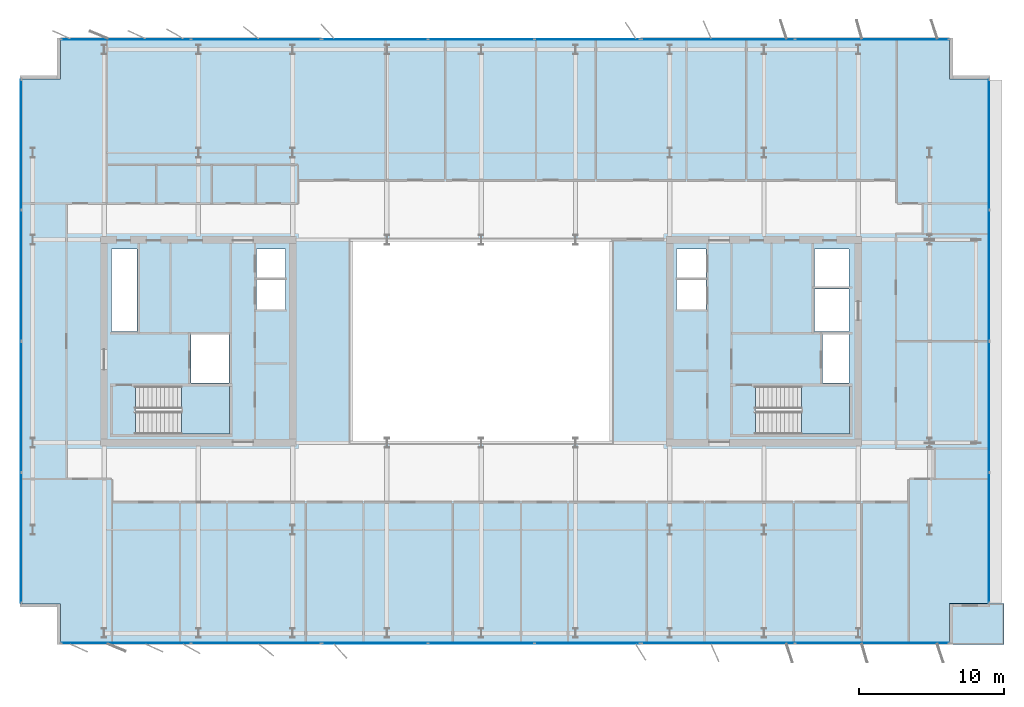
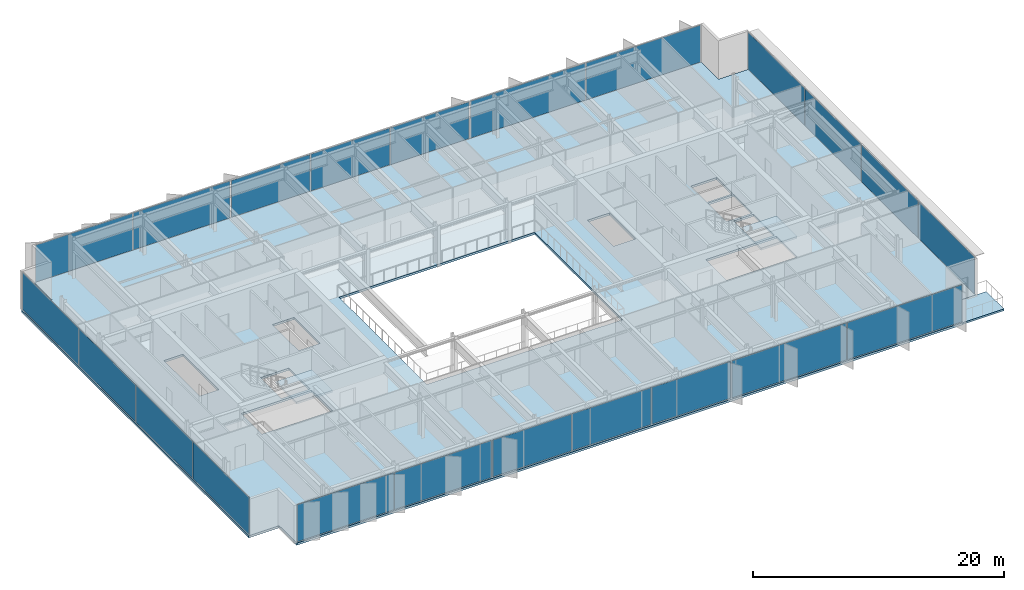
# One storey, part 11 of 20: 22 plates, 4 slabs, 10 elements without a shape of their own.
"""IFC4 building model written with IfcOpenShell, lengths in metres."""

from ifc_helpers import new_model, si_unit, direction, frame, origin, origin_2d, place, context, subcontext, project, spatial, polyline, rectangle, outline, extrude, material, layer, layer_set, type_object, element, aggregate, save


model = new_model("IFC4")

# Units and contexts
model_context = context("Model", 3, precision=1e-05, world=origin(), true_north=direction((0.0, 1.0)))
body_context = subcontext(model_context, "Body", "Model", "MODEL_VIEW")
ifc_project = project(units=[si_unit("LENGTHUNIT", "METRE"), si_unit("AREAUNIT", "SQUARE_METRE"), si_unit("VOLUMEUNIT", "CUBIC_METRE"), si_unit("PLANEANGLEUNIT", "RADIAN"), si_unit("MASSUNIT", "GRAM", prefix="KILO")], contexts=[model_context])

# Site, building, storey
site_placement = place(None, origin())
site = spatial("IfcSite", under=ifc_project, at=site_placement, CompositionType="ELEMENT")
building_placement = place(site_placement, origin())
building = spatial("IfcBuilding", under=site, at=building_placement, Name="Putna Gate Headquarters", CompositionType="ELEMENT")
storey_placement = place(building_placement, frame((0.0, 0.0, 306.39990234375)))
storey = spatial("IfcBuildingStorey", under=building, at=storey_placement, Name="L77", CompositionType="ELEMENT", Elevation=306.39990234375)

# Stair, slab
ifc_material_1 = material(Name="Concrete C40/50", Category="concrete")
stair_type_1 = type_object("IfcStairType", Name="STAIR-ST1", PredefinedType="HALF_TURN_STAIR", material=ifc_material_1)
stair_1_placement = place(storey_placement, origin())
stair_1 = element("IfcStair", 1, at=stair_1_placement, inside=storey, type_object=stair_type_1, Name="L77 West Core Exit Stair ST1", PredefinedType="HALF_TURN_STAIR")
ifc_layer_1 = layer(ifc_material_1, 0.199951171875)
ifc_layer_set_1 = layer_set([ifc_layer_1], Name="Concrete C40/50")
slab_type_1 = type_object("IfcSlabType", Name="LANDING-ST1", PredefinedType="LANDING", material=ifc_layer_set_1)
slab_1_placement = place(storey_placement, frame((0.0, 0.0, 1.800048828125)))
slab_1 = element("IfcSlab", 2, at=slab_1_placement, type_object=slab_type_1, Name="ST1 landing 1", PredefinedType="LANDING", context=body_context, shape_type="SweptSolid", body=[
    extrude(outline(polyline([(18.340087890625, 19.60009765625), (21.64990234375, 19.60009765625), (21.64990234375, 22.89990234375), (18.340087890625, 22.89990234375), (18.340087890625, 19.60009765625)])), origin(), (0.0, 0.0, 1.0), 0.199951171875),
])
aggregate(stair_1, [slab_1])

stair_type_2 = type_object("IfcStairType", Name="STAIR-ST2", PredefinedType="HALF_TURN_STAIR", material=ifc_material_1)
stair_2_placement = place(storey_placement, origin())
stair_2 = element("IfcStair", 3, at=stair_2_placement, inside=storey, type_object=stair_type_2, Name="L77 East Core Exit Stair ST2", PredefinedType="HALF_TURN_STAIR")
ifc_layer_2 = layer(ifc_material_1, 0.199951171875)
ifc_layer_set_2 = layer_set([ifc_layer_2], Name="Concrete C40/50")
slab_type_2 = type_object("IfcSlabType", Name="LANDING-ST2", PredefinedType="LANDING", material=ifc_layer_set_2)
slab_2_placement = place(storey_placement, frame((0.0, 0.0, 1.800048828125)))
slab_2 = element("IfcSlab", 4, at=slab_2_placement, type_object=slab_type_2, Name="ST2 landing 1", PredefinedType="LANDING", context=body_context, shape_type="SweptSolid", body=[
    extrude(outline(polyline([(61.090087890625, 19.60009765625), (64.39990234375, 19.60009765625), (64.39990234375, 22.89990234375), (61.090087890625, 22.89990234375), (61.090087890625, 19.60009765625)])), origin(), (0.0, 0.0, 1.0), 0.199951171875),
])
aggregate(stair_2, [slab_2])

# Curtain wall, plates
ifc_material_2 = material(Name="Anodised bronze aluminium curtain wall", Category="aluminium")
ifc_layer_3 = layer(ifc_material_2, 0.179931640625)
ifc_layer_set_3 = layer_set([ifc_layer_3], Name="Anodised bronze aluminium curtain wall")
curtain_wall_type_1 = type_object("IfcCurtainWallType", Name="CW-SYS-Z5", PredefinedType="USERDEFINED", material=ifc_layer_set_3)
curtain_wall_1_placement = place(storey_placement, origin())
curtain_wall_1 = element("IfcCurtainWall", 5, at=curtain_wall_1_placement, inside=storey, type_object=curtain_wall_type_1, Name="L77 South West Curtain Wall", ObjectType="STICK CURTAIN WALL", PredefinedType="USERDEFINED")
ifc_material_3 = material(Name="Solar-control triple low-E glass", Category="glass")
ifc_layer_4 = layer(ifc_material_3, 0.033935546875)
ifc_layer_set_4 = layer_set([ifc_layer_4], Name="Solar-control triple low-E glass")
plate_type_1 = type_object("IfcPlateType", Name="PAN-CWP-5", PredefinedType="CURTAIN_PANEL", material=ifc_layer_set_4)
plate_1_placement = place(storey_placement, frame((14.517578125, 5.179931640625, 0.06005859375), z_axis=(0.0, 0.0, 1.0), x_axis=(1.0, 0.0, 0.0)))
plate_1 = element("IfcPlate", 6, at=plate_1_placement, type_object=plate_type_1, Name="CWS-5 panel 1.1", PredefinedType="CURTAIN_PANEL", context=body_context, shape_type="SweptSolid", body=[
    extrude(rectangle(XDim=8.89501953125, YDim=0.033935546875, at=origin_2d()), origin(), (0.0, 0.0, 1.0), 3.60009765625),
])
plate_2_placement = place(storey_placement, frame((23.482421875, 5.179931640625, 0.06005859375), z_axis=(0.0, 0.0, 1.0), x_axis=(1.0, 0.0, 0.0)))
plate_2 = element("IfcPlate", 7, at=plate_2_placement, type_object=plate_type_1, Name="CWS-5 panel 2.1", PredefinedType="CURTAIN_PANEL", context=body_context, shape_type="SweptSolid", body=[
    extrude(rectangle(XDim=8.89501953125, YDim=0.033935546875, at=origin_2d()), origin(), (0.0, 0.0, 1.0), 3.60009765625),
])
aggregate(curtain_wall_1, [plate_1, plate_2])

curtain_wall_2_placement = place(storey_placement, origin())
curtain_wall_2 = element("IfcCurtainWall", 8, at=curtain_wall_2_placement, inside=storey, type_object=curtain_wall_type_1, Name="L77 South East Curtain Wall", ObjectType="STICK CURTAIN WALL", PredefinedType="USERDEFINED")
plate_3_placement = place(storey_placement, frame((55.342529296875, 5.179931640625, 0.06005859375), z_axis=(0.0, 0.0, 1.0), x_axis=(1.0, 0.0, 0.0)))
plate_3 = element("IfcPlate", 9, at=plate_3_placement, type_object=plate_type_1, Name="CWS-5 panel 1.1", PredefinedType="CURTAIN_PANEL", context=body_context, shape_type="SweptSolid", body=[
    extrude(rectangle(XDim=10.544921875, YDim=0.033935546875, at=origin_2d()), origin(), (0.0, 0.0, 1.0), 3.60009765625),
])
plate_4_placement = place(storey_placement, frame((65.95751953125, 5.179931640625, 0.06005859375), z_axis=(0.0, 0.0, 1.0), x_axis=(1.0, 0.0, 0.0)))
plate_4 = element("IfcPlate", 10, at=plate_4_placement, type_object=plate_type_1, Name="CWS-5 panel 2.1", PredefinedType="CURTAIN_PANEL", context=body_context, shape_type="SweptSolid", body=[
    extrude(rectangle(XDim=10.544921875, YDim=0.033935546875, at=origin_2d()), origin(), (0.0, 0.0, 1.0), 3.60009765625),
])
aggregate(curtain_wall_2, [plate_3, plate_4])

curtain_wall_3_placement = place(storey_placement, origin())
curtain_wall_3 = element("IfcCurtainWall", 11, at=curtain_wall_3_placement, inside=storey, type_object=curtain_wall_type_1, Name="L77 North West Curtain Wall", ObjectType="STICK CURTAIN WALL", PredefinedType="USERDEFINED")
plate_5_placement = place(storey_placement, frame((14.517578125, 46.820068359375, 0.06005859375), z_axis=(0.0, 0.0, 1.0), x_axis=(1.0, 0.0, 0.0)))
plate_5 = element("IfcPlate", 12, at=plate_5_placement, type_object=plate_type_1, Name="CWS-5 panel 1.1", PredefinedType="CURTAIN_PANEL", context=body_context, shape_type="SweptSolid", body=[
    extrude(rectangle(XDim=8.89501953125, YDim=0.033935546875, at=origin_2d()), origin(), (0.0, 0.0, 1.0), 3.60009765625),
])
plate_6_placement = place(storey_placement, frame((23.482421875, 46.820068359375, 0.06005859375), z_axis=(0.0, 0.0, 1.0), x_axis=(1.0, 0.0, 0.0)))
plate_6 = element("IfcPlate", 13, at=plate_6_placement, type_object=plate_type_1, Name="CWS-5 panel 2.1", PredefinedType="CURTAIN_PANEL", context=body_context, shape_type="SweptSolid", body=[
    extrude(rectangle(XDim=8.89501953125, YDim=0.033935546875, at=origin_2d()), origin(), (0.0, 0.0, 1.0), 3.60009765625),
])
aggregate(curtain_wall_3, [plate_5, plate_6])

curtain_wall_4_placement = place(storey_placement, origin())
curtain_wall_4 = element("IfcCurtainWall", 14, at=curtain_wall_4_placement, inside=storey, type_object=curtain_wall_type_1, Name="L77 North East Curtain Wall", ObjectType="STICK CURTAIN WALL", PredefinedType="USERDEFINED")
plate_7_placement = place(storey_placement, frame((55.342529296875, 46.820068359375, 0.06005859375), z_axis=(0.0, 0.0, 1.0), x_axis=(1.0, 0.0, 0.0)))
plate_7 = element("IfcPlate", 15, at=plate_7_placement, type_object=plate_type_1, Name="CWS-5 panel 1.1", PredefinedType="CURTAIN_PANEL", context=body_context, shape_type="SweptSolid", body=[
    extrude(rectangle(XDim=10.544921875, YDim=0.033935546875, at=origin_2d()), origin(), (0.0, 0.0, 1.0), 3.60009765625),
])
plate_8_placement = place(storey_placement, frame((65.95751953125, 46.820068359375, 0.06005859375), z_axis=(0.0, 0.0, 1.0), x_axis=(1.0, 0.0, 0.0)))
plate_8 = element("IfcPlate", 16, at=plate_8_placement, type_object=plate_type_1, Name="CWS-5 panel 2.1", PredefinedType="CURTAIN_PANEL", context=body_context, shape_type="SweptSolid", body=[
    extrude(rectangle(XDim=10.544921875, YDim=0.033935546875, at=origin_2d()), origin(), (0.0, 0.0, 1.0), 3.60009765625),
])
aggregate(curtain_wall_4, [plate_7, plate_8])

curtain_wall_5_placement = place(storey_placement, origin())
curtain_wall_5 = element("IfcCurtainWall", 17, at=curtain_wall_5_placement, inside=storey, type_object=curtain_wall_type_1, Name="L77 West Curtain Wall", ObjectType="STICK CURTAIN WALL", PredefinedType="USERDEFINED")
plate_9_placement = place(storey_placement, frame((7.280029296875, 12.4423828125, 0.06005859375), z_axis=(0.0, 0.0, 1.0), x_axis=(0.0, 1.0, 0.0)))
plate_9 = element("IfcPlate", 18, at=plate_9_placement, type_object=plate_type_1, Name="CWS-5 panel 1.1", PredefinedType="CURTAIN_PANEL", context=body_context, shape_type="SweptSolid", body=[
    extrude(rectangle(XDim=8.945068359375, YDim=0.033935546875, at=origin_2d()), origin(), (0.0, 0.0, 1.0), 3.60009765625),
])
plate_10_placement = place(storey_placement, frame((7.280029296875, 21.47509765625, 0.06005859375), z_axis=(0.0, 0.0, 1.0), x_axis=(0.0, 1.0, 0.0)))
plate_10 = element("IfcPlate", 19, at=plate_10_placement, type_object=plate_type_1, Name="CWS-5 panel 2.1", PredefinedType="CURTAIN_PANEL", context=body_context, shape_type="SweptSolid", body=[
    extrude(rectangle(XDim=8.97998046875, YDim=0.033935546875, at=origin_2d()), origin(), (0.0, 0.0, 1.0), 3.60009765625),
])
plate_11_placement = place(storey_placement, frame((7.280029296875, 30.52490234375, 0.06005859375), z_axis=(0.0, 0.0, 1.0), x_axis=(0.0, 1.0, 0.0)))
plate_11 = element("IfcPlate", 20, at=plate_11_placement, type_object=plate_type_1, Name="CWS-5 panel 3.1", PredefinedType="CURTAIN_PANEL", context=body_context, shape_type="SweptSolid", body=[
    extrude(rectangle(XDim=8.97998046875, YDim=0.033935546875, at=origin_2d()), origin(), (0.0, 0.0, 1.0), 3.60009765625),
])
plate_12_placement = place(storey_placement, frame((7.280029296875, 39.5576171875, 0.06005859375), z_axis=(0.0, 0.0, 1.0), x_axis=(0.0, 1.0, 0.0)))
plate_12 = element("IfcPlate", 21, at=plate_12_placement, type_object=plate_type_1, Name="CWS-5 panel 4.1", PredefinedType="CURTAIN_PANEL", context=body_context, shape_type="SweptSolid", body=[
    extrude(rectangle(XDim=8.945068359375, YDim=0.033935546875, at=origin_2d()), origin(), (0.0, 0.0, 1.0), 3.60009765625),
])
aggregate(curtain_wall_5, [plate_9, plate_10, plate_11, plate_12])

curtain_wall_6_placement = place(storey_placement, origin())
curtain_wall_6 = element("IfcCurtainWall", 22, at=curtain_wall_6_placement, inside=storey, type_object=curtain_wall_type_1, Name="L77 East Curtain Wall", ObjectType="STICK CURTAIN WALL", PredefinedType="USERDEFINED")
plate_13_placement = place(storey_placement, frame((74.02001953125, 12.4423828125, 0.06005859375), z_axis=(0.0, 0.0, 1.0), x_axis=(0.0, 1.0, 0.0)))
plate_13 = element("IfcPlate", 23, at=plate_13_placement, type_object=plate_type_1, Name="CWS-5 panel 1.1", PredefinedType="CURTAIN_PANEL", context=body_context, shape_type="SweptSolid", body=[
    extrude(rectangle(XDim=8.945068359375, YDim=0.033935546875, at=origin_2d()), origin(), (0.0, 0.0, 1.0), 3.60009765625),
])
plate_14_placement = place(storey_placement, frame((74.02001953125, 21.47509765625, 0.06005859375), z_axis=(0.0, 0.0, 1.0), x_axis=(0.0, 1.0, 0.0)))
plate_14 = element("IfcPlate", 24, at=plate_14_placement, type_object=plate_type_1, Name="CWS-5 panel 2.1", PredefinedType="CURTAIN_PANEL", context=body_context, shape_type="SweptSolid", body=[
    extrude(rectangle(XDim=8.97998046875, YDim=0.033935546875, at=origin_2d()), origin(), (0.0, 0.0, 1.0), 3.60009765625),
])
plate_15_placement = place(storey_placement, frame((74.02001953125, 30.52490234375, 0.06005859375), z_axis=(0.0, 0.0, 1.0), x_axis=(0.0, 1.0, 0.0)))
plate_15 = element("IfcPlate", 25, at=plate_15_placement, type_object=plate_type_1, Name="CWS-5 panel 3.1", PredefinedType="CURTAIN_PANEL", context=body_context, shape_type="SweptSolid", body=[
    extrude(rectangle(XDim=8.97998046875, YDim=0.033935546875, at=origin_2d()), origin(), (0.0, 0.0, 1.0), 3.60009765625),
])
plate_16_placement = place(storey_placement, frame((74.02001953125, 39.5576171875, 0.06005859375), z_axis=(0.0, 0.0, 1.0), x_axis=(0.0, 1.0, 0.0)))
plate_16 = element("IfcPlate", 26, at=plate_16_placement, type_object=plate_type_1, Name="CWS-5 panel 4.1", PredefinedType="CURTAIN_PANEL", context=body_context, shape_type="SweptSolid", body=[
    extrude(rectangle(XDim=8.945068359375, YDim=0.033935546875, at=origin_2d()), origin(), (0.0, 0.0, 1.0), 3.60009765625),
])
aggregate(curtain_wall_6, [plate_13, plate_14, plate_15, plate_16])

ifc_layer_5 = layer(ifc_material_2, 0.179931640625)
ifc_layer_set_5 = layer_set([ifc_layer_5], Name="Anodised bronze aluminium curtain wall")
curtain_wall_type_2 = type_object("IfcCurtainWallType", Name="CW-SYS-ATR", PredefinedType="USERDEFINED", material=ifc_layer_set_5)
curtain_wall_7_placement = place(storey_placement, origin())
curtain_wall_7 = element("IfcCurtainWall", 27, at=curtain_wall_7_placement, inside=storey, type_object=curtain_wall_type_2, Name="L77 South Atrium Clear Glazing", ObjectType="ATRIUM GLAZING", PredefinedType="USERDEFINED")
ifc_material_4 = material(Name="Clear low-iron triple glazing", Category="glass")
ifc_layer_6 = layer(ifc_material_4, 0.0400390625)
ifc_layer_set_6 = layer_set([ifc_layer_6], Name="Clear low-iron triple glazing")
plate_type_2 = type_object("IfcPlateType", Name="PAN-CWP-AT", PredefinedType="CURTAIN_PANEL", material=ifc_layer_set_6)
plate_17_placement = place(storey_placement, frame((31.68408203125, 5.179931640625, 0.070068359375), z_axis=(0.0, 0.0, 1.0), x_axis=(1.0, 0.0, 0.0)))
plate_17 = element("IfcPlate", 28, at=plate_17_placement, type_object=plate_type_2, Name="CWS-AT panel 1.1", PredefinedType="CURTAIN_PANEL", context=body_context, shape_type="SweptSolid", body=[
    extrude(rectangle(XDim=7.228271484375, YDim=0.0400390625, at=origin_2d()), origin(), (0.0, 0.0, 1.0), 3.580078125),
])
plate_18_placement = place(storey_placement, frame((39.0, 5.179931640625, 0.070068359375), z_axis=(0.0, 0.0, 1.0), x_axis=(1.0, 0.0, 0.0)))
plate_18 = element("IfcPlate", 29, at=plate_18_placement, type_object=plate_type_2, Name="CWS-AT panel 2.1", PredefinedType="CURTAIN_PANEL", context=body_context, shape_type="SweptSolid", body=[
    extrude(rectangle(XDim=7.263427734375, YDim=0.0400390625, at=origin_2d()), origin(), (0.0, 0.0, 1.0), 3.580078125),
])
plate_19_placement = place(storey_placement, frame((46.31591796875, 5.179931640625, 0.070068359375), z_axis=(0.0, 0.0, 1.0), x_axis=(1.0, 0.0, 0.0)))
plate_19 = element("IfcPlate", 30, at=plate_19_placement, type_object=plate_type_2, Name="CWS-AT panel 3.1", PredefinedType="CURTAIN_PANEL", context=body_context, shape_type="SweptSolid", body=[
    extrude(rectangle(XDim=7.228271484375, YDim=0.0400390625, at=origin_2d()), origin(), (0.0, 0.0, 1.0), 3.580078125),
])
aggregate(curtain_wall_7, [plate_17, plate_18, plate_19])

curtain_wall_8_placement = place(storey_placement, origin())
curtain_wall_8 = element("IfcCurtainWall", 31, at=curtain_wall_8_placement, inside=storey, type_object=curtain_wall_type_2, Name="L77 North Atrium Clear Glazing", ObjectType="ATRIUM GLAZING", PredefinedType="USERDEFINED")
plate_20_placement = place(storey_placement, frame((31.68408203125, 46.820068359375, 0.070068359375), z_axis=(0.0, 0.0, 1.0), x_axis=(1.0, 0.0, 0.0)))
plate_20 = element("IfcPlate", 32, at=plate_20_placement, type_object=plate_type_2, Name="CWS-AT panel 1.1", PredefinedType="CURTAIN_PANEL", context=body_context, shape_type="SweptSolid", body=[
    extrude(rectangle(XDim=7.228271484375, YDim=0.0400390625, at=origin_2d()), origin(), (0.0, 0.0, 1.0), 3.580078125),
])
plate_21_placement = place(storey_placement, frame((39.0, 46.820068359375, 0.070068359375), z_axis=(0.0, 0.0, 1.0), x_axis=(1.0, 0.0, 0.0)))
plate_21 = element("IfcPlate", 33, at=plate_21_placement, type_object=plate_type_2, Name="CWS-AT panel 2.1", PredefinedType="CURTAIN_PANEL", context=body_context, shape_type="SweptSolid", body=[
    extrude(rectangle(XDim=7.263427734375, YDim=0.0400390625, at=origin_2d()), origin(), (0.0, 0.0, 1.0), 3.580078125),
])
plate_22_placement = place(storey_placement, frame((46.31591796875, 46.820068359375, 0.070068359375), z_axis=(0.0, 0.0, 1.0), x_axis=(1.0, 0.0, 0.0)))
plate_22 = element("IfcPlate", 34, at=plate_22_placement, type_object=plate_type_2, Name="CWS-AT panel 3.1", PredefinedType="CURTAIN_PANEL", context=body_context, shape_type="SweptSolid", body=[
    extrude(rectangle(XDim=7.228271484375, YDim=0.0400390625, at=origin_2d()), origin(), (0.0, 0.0, 1.0), 3.580078125),
])
aggregate(curtain_wall_8, [plate_20, plate_21, plate_22])

# Slabs
ifc_layer_7 = layer(ifc_material_1, 0.179931640625)
ifc_layer_set_7 = layer_set([ifc_layer_7], Name="Concrete C40/50")
slab_type_3 = type_object("IfcSlabType", Name="SLAB-TERRACE-180", PredefinedType="FLOOR", material=ifc_layer_set_7)
slab_3_placement = place(storey_placement, frame((0.0, 0.0, -0.179931640625)))
element("IfcSlab", 35, at=slab_3_placement, inside=storey, type_object=slab_type_3, Name="L77 Spiral Sky-Garden Terrace Slab (SE)", PredefinedType="FLOOR", context=body_context, shape_type="SweptSolid", body=[
    extrude(outline(polyline([(71.2919921875, 5.10009765625), (75.050048828125, 5.10009765625), (75.050048828125, 7.907958984375), (71.2919921875, 7.907958984375), (71.2919921875, 5.10009765625)])), origin(), (0.0, 0.0, 1.0), 0.179931640625),
])
ifc_layer_8 = layer(ifc_material_1, 0.2119140625)
ifc_layer_set_8 = layer_set([ifc_layer_8], Name="Concrete C40/50")
slab_type_4 = type_object("IfcSlabType", Name="SLAB-Z5-212", PredefinedType="FLOOR", material=ifc_layer_set_8)
slab_4_placement = place(storey_placement, frame((0.0, 0.0, -0.2119140625)))
element("IfcSlab", 36, at=slab_4_placement, inside=storey, type_object=slab_type_4, Name="L77 Composite Floor Slab", PredefinedType="FLOOR", context=body_context, shape_type="SweptSolid", body=[
    extrude(outline(polyline([(10.0, 5.10009765625), (71.300048828125, 5.10009765625), (71.300048828125, 7.89990234375), (74.10009765625, 7.89990234375), (74.10009765625, 44.10009765625), (71.300048828125, 44.10009765625), (71.300048828125, 46.89990234375), (10.0, 46.89990234375), (10.0, 44.10009765625), (7.199951171875, 44.10009765625), (7.199951171875, 7.89990234375), (10.0, 7.89990234375), (10.0, 5.10009765625)]), holes=[polyline([(15.1650390625, 19.60009765625), (21.64990234375, 19.60009765625), (21.64990234375, 22.89990234375), (15.1650390625, 22.89990234375), (15.1650390625, 19.60009765625)]), polyline([(57.9150390625, 19.60009765625), (64.39990234375, 19.60009765625), (64.39990234375, 22.89990234375), (57.9150390625, 22.89990234375), (57.9150390625, 19.60009765625)]), polyline([(13.52001953125, 26.659912109375), (15.280029296875, 26.659912109375), (15.280029296875, 32.35009765625), (13.52001953125, 32.35009765625), (13.52001953125, 26.659912109375)]), polyline([(61.969970703125, 29.780029296875), (64.35009765625, 29.780029296875), (64.35009765625, 32.35009765625), (61.969970703125, 32.35009765625), (61.969970703125, 29.780029296875)]), polyline([(18.97998046875, 23.1201171875), (21.6201171875, 23.1201171875), (21.6201171875, 26.4599609375), (18.97998046875, 26.4599609375), (18.97998046875, 23.1201171875)]), polyline([(62.52001953125, 23.1201171875), (64.35009765625, 23.1201171875), (64.35009765625, 26.4599609375), (62.52001953125, 26.4599609375), (62.52001953125, 23.1201171875)]), polyline([(61.969970703125, 26.659912109375), (64.35009765625, 26.659912109375), (64.35009765625, 29.6201171875), (61.969970703125, 29.6201171875), (61.969970703125, 26.659912109375)]), polyline([(23.5, 28.199951171875), (25.5, 28.199951171875), (25.5, 32.35009765625), (23.5, 32.35009765625), (23.5, 28.199951171875)]), polyline([(52.47998046875, 28.199951171875), (54.5, 28.199951171875), (54.5, 32.35009765625), (52.47998046875, 32.35009765625), (52.47998046875, 28.199951171875)]), polyline([(30.0, 19.0), (48.0, 19.0), (48.0, 33.0), (30.0, 33.0), (30.0, 19.0)])]), origin(), (0.0, 0.0, 1.0), 0.2119140625),
])

save(model, "model.ifc")
